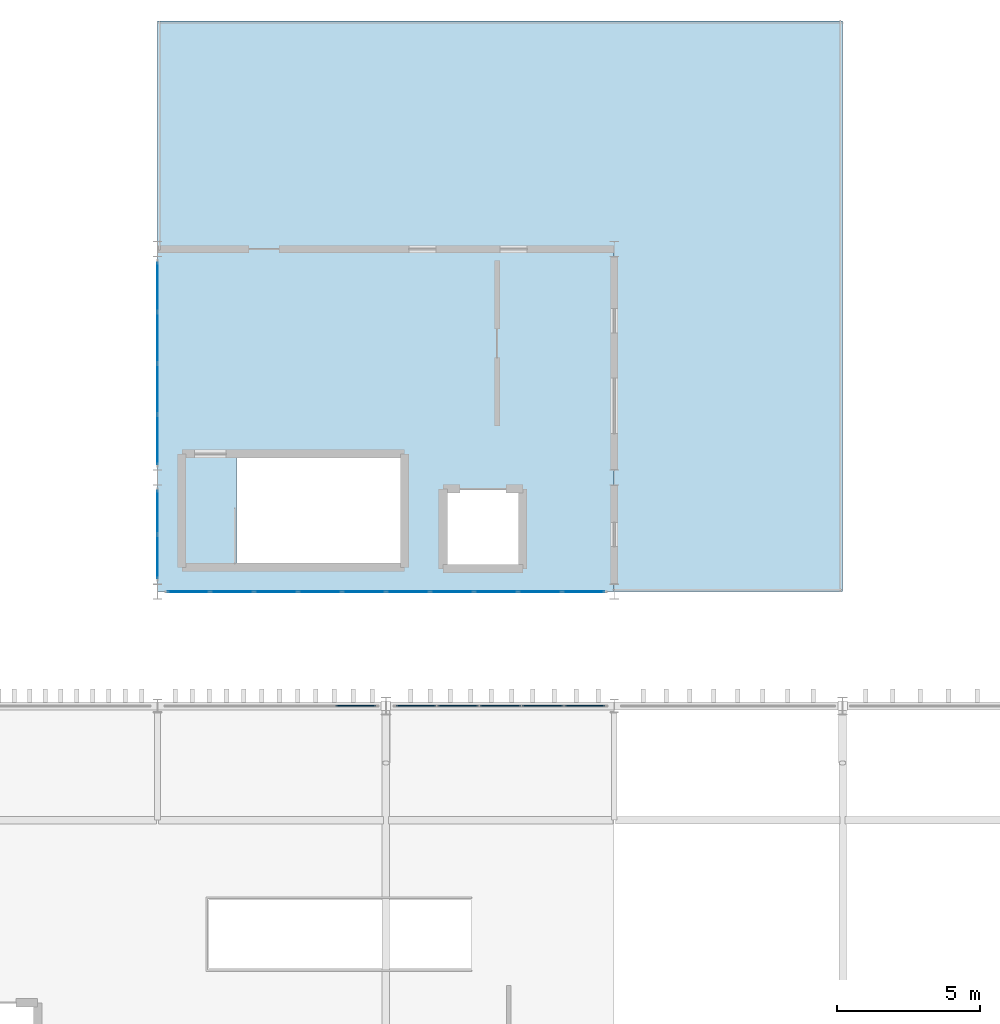
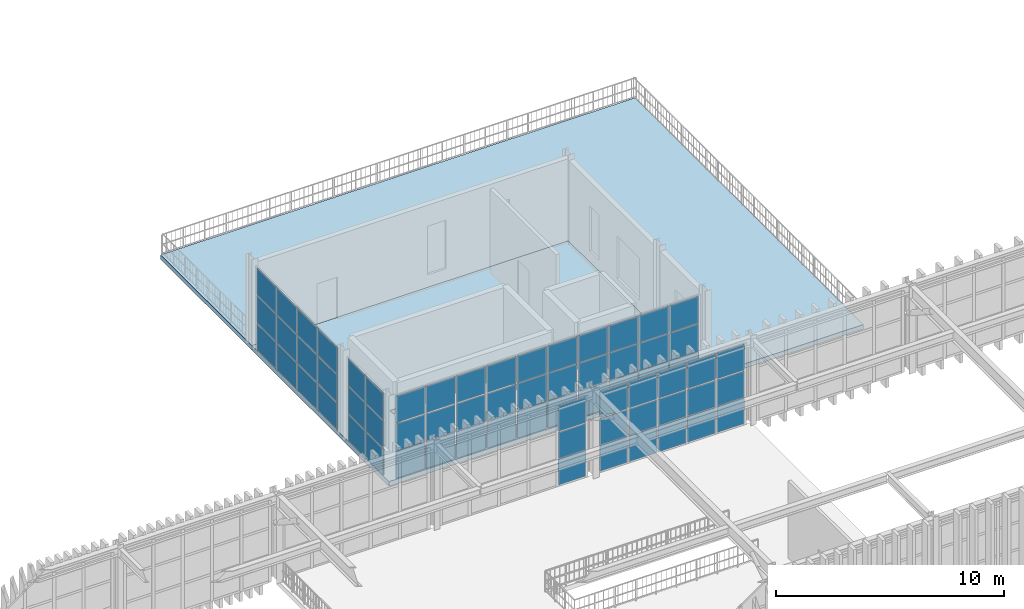
# One storey, part 41 of 61: 66 plates, 2 slabs, 5 elements without a shape of their own.
"""IFC4 building model written with IfcOpenShell, lengths in metres."""

from ifc_helpers import new_model, si_unit, direction, frame, origin, origin_2d, place, context, subcontext, project, spatial, polyline, rectangle, outline, extrude, material, layer, layer_set, type_object, element, aggregate, save


model = new_model("IFC4")

# Units and contexts
model_context = context("Model", 3, precision=1e-05, world=origin(), true_north=direction((0.0, 1.0)))
body_context = subcontext(model_context, "Body", "Model", "MODEL_VIEW")
ifc_project = project(units=[si_unit("LENGTHUNIT", "METRE"), si_unit("AREAUNIT", "SQUARE_METRE"), si_unit("VOLUMEUNIT", "CUBIC_METRE"), si_unit("PLANEANGLEUNIT", "RADIAN"), si_unit("MASSUNIT", "GRAM", prefix="KILO")], contexts=[model_context])

# Site, building, storey
site_placement = place(None, origin())
site = spatial("IfcSite", under=ifc_project, at=site_placement, CompositionType="ELEMENT")
building_placement = place(site_placement, origin())
building = spatial("IfcBuilding", under=site, at=building_placement, Name="Serraluz Foothill Cableway Terminal", CompositionType="ELEMENT")
storey_placement = place(building_placement, frame((0.0, 0.0, 15.0)))
storey = spatial("IfcBuildingStorey", under=building, at=storey_placement, Name="L03", CompositionType="ELEMENT", Elevation=15.0)

# Curtain wall, plates
ifc_material_1 = material(Name="Architectural bronze alloy C28000", Category="aluminium")
curtain_wall_type_1 = type_object("IfcCurtainWallType", Name="TYP-CW-640X440", PredefinedType="NOTDEFINED", material=ifc_material_1)
curtain_wall_1_placement = place(storey_placement, origin())
curtain_wall_1 = element("IfcCurtainWall", 1, at=curtain_wall_1_placement, inside=storey, type_object=curtain_wall_type_1, Name="Ribbed Glazed Curtain Wall CW-V4S-L03-80", PredefinedType="NOTDEFINED")
ifc_material_2 = material(Name="Translucent ribbed laminated channel glass", Category="glass")
ifc_layer_1 = layer(ifc_material_2, 0.028076171875, Name="Translucent ribbed laminated channel glass", Category="glass")
ifc_layer_set_1 = layer_set([ifc_layer_1], Name="Translucent ribbed laminated channel glass")
plate_type_1 = type_object("IfcPlateType", Name="TYP-CW-PNL-28", PredefinedType="CURTAIN_PANEL", material=ifc_layer_set_1)
plate_1_placement = place(storey_placement, frame((94.918701171875, 76.0, 0.06005859375), z_axis=(0.0, 0.0, 1.0), x_axis=(-1.0, 0.0, 0.0)))
plate_1 = element("IfcPlate", 2, at=plate_1_placement, type_object=plate_type_1, Name="CW-12 panel 1.1", PredefinedType="CURTAIN_PANEL", context=body_context, shape_type="SweptSolid", body=[
    extrude(rectangle(XDim=1.45068359375, YDim=0.028076171875, at=origin_2d()), origin(), (0.0, 0.0, 1.0), 1.409912109375),
])
plate_2_placement = place(storey_placement, frame((94.918701171875, 76.0, 1.530029296875), z_axis=(0.0, 0.0, 1.0), x_axis=(-1.0, 0.0, 0.0)))
plate_2 = element("IfcPlate", 3, at=plate_2_placement, type_object=plate_type_1, Name="CW-12 panel 1.2", PredefinedType="CURTAIN_PANEL", context=body_context, shape_type="SweptSolid", body=[
    extrude(rectangle(XDim=1.45068359375, YDim=0.028076171875, at=origin_2d()), origin(), (0.0, 0.0, 1.0), 1.43994140625),
])
plate_3_placement = place(storey_placement, frame((94.918701171875, 76.0, 3.0302734375), z_axis=(0.0, 0.0, 1.0), x_axis=(-1.0, 0.0, 0.0)))
plate_3 = element("IfcPlate", 4, at=plate_3_placement, type_object=plate_type_1, Name="CW-12 panel 1.3", PredefinedType="CURTAIN_PANEL", context=body_context, shape_type="SweptSolid", body=[
    extrude(rectangle(XDim=1.45068359375, YDim=0.028076171875, at=origin_2d()), origin(), (0.0, 0.0, 1.0), 1.409912109375),
])
plate_4_placement = place(storey_placement, frame((93.392822265625, 76.0, 0.06005859375), z_axis=(0.0, 0.0, 1.0), x_axis=(-1.0, 0.0, 0.0)))
plate_4 = element("IfcPlate", 5, at=plate_4_placement, type_object=plate_type_1, Name="CW-12 panel 2.1", PredefinedType="CURTAIN_PANEL", context=body_context, shape_type="SweptSolid", body=[
    extrude(rectangle(XDim=1.480712890625, YDim=0.028076171875, at=origin_2d()), origin(), (0.0, 0.0, 1.0), 1.409912109375),
])
plate_5_placement = place(storey_placement, frame((93.392822265625, 76.0, 1.530029296875), z_axis=(0.0, 0.0, 1.0), x_axis=(-1.0, 0.0, 0.0)))
plate_5 = element("IfcPlate", 6, at=plate_5_placement, type_object=plate_type_1, Name="CW-12 panel 2.2", PredefinedType="CURTAIN_PANEL", context=body_context, shape_type="SweptSolid", body=[
    extrude(rectangle(XDim=1.480712890625, YDim=0.028076171875, at=origin_2d()), origin(), (0.0, 0.0, 1.0), 1.43994140625),
])
plate_6_placement = place(storey_placement, frame((93.392822265625, 76.0, 3.0302734375), z_axis=(0.0, 0.0, 1.0), x_axis=(-1.0, 0.0, 0.0)))
plate_6 = element("IfcPlate", 7, at=plate_6_placement, type_object=plate_type_1, Name="CW-12 panel 2.3", PredefinedType="CURTAIN_PANEL", context=body_context, shape_type="SweptSolid", body=[
    extrude(rectangle(XDim=1.480712890625, YDim=0.028076171875, at=origin_2d()), origin(), (0.0, 0.0, 1.0), 1.409912109375),
])
plate_7_placement = place(storey_placement, frame((91.85205078125, 76.0, 0.06005859375), z_axis=(0.0, 0.0, 1.0), x_axis=(-1.0, 0.0, 0.0)))
plate_7 = element("IfcPlate", 8, at=plate_7_placement, type_object=plate_type_1, Name="CW-12 panel 3.1", PredefinedType="CURTAIN_PANEL", context=body_context, shape_type="SweptSolid", body=[
    extrude(rectangle(XDim=1.480712890625, YDim=0.028076171875, at=origin_2d()), origin(), (0.0, 0.0, 1.0), 1.409912109375),
])
plate_8_placement = place(storey_placement, frame((91.85205078125, 76.0, 1.530029296875), z_axis=(0.0, 0.0, 1.0), x_axis=(-1.0, 0.0, 0.0)))
plate_8 = element("IfcPlate", 9, at=plate_8_placement, type_object=plate_type_1, Name="CW-12 panel 3.2", PredefinedType="CURTAIN_PANEL", context=body_context, shape_type="SweptSolid", body=[
    extrude(rectangle(XDim=1.480712890625, YDim=0.028076171875, at=origin_2d()), origin(), (0.0, 0.0, 1.0), 1.43994140625),
])
plate_9_placement = place(storey_placement, frame((91.85205078125, 76.0, 3.0302734375), z_axis=(0.0, 0.0, 1.0), x_axis=(-1.0, 0.0, 0.0)))
plate_9 = element("IfcPlate", 10, at=plate_9_placement, type_object=plate_type_1, Name="CW-12 panel 3.3", PredefinedType="CURTAIN_PANEL", context=body_context, shape_type="SweptSolid", body=[
    extrude(rectangle(XDim=1.480712890625, YDim=0.028076171875, at=origin_2d()), origin(), (0.0, 0.0, 1.0), 1.409912109375),
])
plate_10_placement = place(storey_placement, frame((90.311279296875, 76.0, 0.06005859375), z_axis=(0.0, 0.0, 1.0), x_axis=(-1.0, 0.0, 0.0)))
plate_10 = element("IfcPlate", 11, at=plate_10_placement, type_object=plate_type_1, Name="CW-12 panel 4.1", PredefinedType="CURTAIN_PANEL", context=body_context, shape_type="SweptSolid", body=[
    extrude(rectangle(XDim=1.480712890625, YDim=0.028076171875, at=origin_2d()), origin(), (0.0, 0.0, 1.0), 1.409912109375),
])
plate_11_placement = place(storey_placement, frame((90.311279296875, 76.0, 1.530029296875), z_axis=(0.0, 0.0, 1.0), x_axis=(-1.0, 0.0, 0.0)))
plate_11 = element("IfcPlate", 12, at=plate_11_placement, type_object=plate_type_1, Name="CW-12 panel 4.2", PredefinedType="CURTAIN_PANEL", context=body_context, shape_type="SweptSolid", body=[
    extrude(rectangle(XDim=1.480712890625, YDim=0.028076171875, at=origin_2d()), origin(), (0.0, 0.0, 1.0), 1.43994140625),
])
plate_12_placement = place(storey_placement, frame((90.311279296875, 76.0, 3.0302734375), z_axis=(0.0, 0.0, 1.0), x_axis=(-1.0, 0.0, 0.0)))
plate_12 = element("IfcPlate", 13, at=plate_12_placement, type_object=plate_type_1, Name="CW-12 panel 4.3", PredefinedType="CURTAIN_PANEL", context=body_context, shape_type="SweptSolid", body=[
    extrude(rectangle(XDim=1.480712890625, YDim=0.028076171875, at=origin_2d()), origin(), (0.0, 0.0, 1.0), 1.409912109375),
])
plate_13_placement = place(storey_placement, frame((88.7705078125, 76.0, 0.06005859375), z_axis=(0.0, 0.0, 1.0), x_axis=(-1.0, 0.0, 0.0)))
plate_13 = element("IfcPlate", 14, at=plate_13_placement, type_object=plate_type_1, Name="CW-12 panel 5.1", PredefinedType="CURTAIN_PANEL", context=body_context, shape_type="SweptSolid", body=[
    extrude(rectangle(XDim=1.480712890625, YDim=0.028076171875, at=origin_2d()), origin(), (0.0, 0.0, 1.0), 1.409912109375),
])
plate_14_placement = place(storey_placement, frame((88.7705078125, 76.0, 1.530029296875), z_axis=(0.0, 0.0, 1.0), x_axis=(-1.0, 0.0, 0.0)))
plate_14 = element("IfcPlate", 15, at=plate_14_placement, type_object=plate_type_1, Name="CW-12 panel 5.2", PredefinedType="CURTAIN_PANEL", context=body_context, shape_type="SweptSolid", body=[
    extrude(rectangle(XDim=1.480712890625, YDim=0.028076171875, at=origin_2d()), origin(), (0.0, 0.0, 1.0), 1.43994140625),
])
plate_15_placement = place(storey_placement, frame((88.7705078125, 76.0, 3.0302734375), z_axis=(0.0, 0.0, 1.0), x_axis=(-1.0, 0.0, 0.0)))
plate_15 = element("IfcPlate", 16, at=plate_15_placement, type_object=plate_type_1, Name="CW-12 panel 5.3", PredefinedType="CURTAIN_PANEL", context=body_context, shape_type="SweptSolid", body=[
    extrude(rectangle(XDim=1.480712890625, YDim=0.028076171875, at=origin_2d()), origin(), (0.0, 0.0, 1.0), 1.409912109375),
])
plate_16_placement = place(storey_placement, frame((87.2294921875, 76.0, 0.06005859375), z_axis=(0.0, 0.0, 1.0), x_axis=(-1.0, 0.0, 0.0)))
plate_16 = element("IfcPlate", 17, at=plate_16_placement, type_object=plate_type_1, Name="CW-12 panel 6.1", PredefinedType="CURTAIN_PANEL", context=body_context, shape_type="SweptSolid", body=[
    extrude(rectangle(XDim=1.480712890625, YDim=0.028076171875, at=origin_2d()), origin(), (0.0, 0.0, 1.0), 1.409912109375),
])
plate_17_placement = place(storey_placement, frame((87.2294921875, 76.0, 1.530029296875), z_axis=(0.0, 0.0, 1.0), x_axis=(-1.0, 0.0, 0.0)))
plate_17 = element("IfcPlate", 18, at=plate_17_placement, type_object=plate_type_1, Name="CW-12 panel 6.2", PredefinedType="CURTAIN_PANEL", context=body_context, shape_type="SweptSolid", body=[
    extrude(rectangle(XDim=1.480712890625, YDim=0.028076171875, at=origin_2d()), origin(), (0.0, 0.0, 1.0), 1.43994140625),
])
plate_18_placement = place(storey_placement, frame((87.2294921875, 76.0, 3.0302734375), z_axis=(0.0, 0.0, 1.0), x_axis=(-1.0, 0.0, 0.0)))
plate_18 = element("IfcPlate", 19, at=plate_18_placement, type_object=plate_type_1, Name="CW-12 panel 6.3", PredefinedType="CURTAIN_PANEL", context=body_context, shape_type="SweptSolid", body=[
    extrude(rectangle(XDim=1.480712890625, YDim=0.028076171875, at=origin_2d()), origin(), (0.0, 0.0, 1.0), 1.409912109375),
])
plate_19_placement = place(storey_placement, frame((85.688720703125, 76.0, 0.06005859375), z_axis=(0.0, 0.0, 1.0), x_axis=(-1.0, 0.0, 0.0)))
plate_19 = element("IfcPlate", 20, at=plate_19_placement, type_object=plate_type_1, Name="CW-12 panel 7.1", PredefinedType="CURTAIN_PANEL", context=body_context, shape_type="SweptSolid", body=[
    extrude(rectangle(XDim=1.480712890625, YDim=0.028076171875, at=origin_2d()), origin(), (0.0, 0.0, 1.0), 1.409912109375),
])
plate_20_placement = place(storey_placement, frame((85.688720703125, 76.0, 1.530029296875), z_axis=(0.0, 0.0, 1.0), x_axis=(-1.0, 0.0, 0.0)))
plate_20 = element("IfcPlate", 21, at=plate_20_placement, type_object=plate_type_1, Name="CW-12 panel 7.2", PredefinedType="CURTAIN_PANEL", context=body_context, shape_type="SweptSolid", body=[
    extrude(rectangle(XDim=1.480712890625, YDim=0.028076171875, at=origin_2d()), origin(), (0.0, 0.0, 1.0), 1.43994140625),
])
plate_21_placement = place(storey_placement, frame((85.688720703125, 76.0, 3.0302734375), z_axis=(0.0, 0.0, 1.0), x_axis=(-1.0, 0.0, 0.0)))
plate_21 = element("IfcPlate", 22, at=plate_21_placement, type_object=plate_type_1, Name="CW-12 panel 7.3", PredefinedType="CURTAIN_PANEL", context=body_context, shape_type="SweptSolid", body=[
    extrude(rectangle(XDim=1.480712890625, YDim=0.028076171875, at=origin_2d()), origin(), (0.0, 0.0, 1.0), 1.409912109375),
])
plate_22_placement = place(storey_placement, frame((84.14794921875, 76.0, 0.06005859375), z_axis=(0.0, 0.0, 1.0), x_axis=(-1.0, 0.0, 0.0)))
plate_22 = element("IfcPlate", 23, at=plate_22_placement, type_object=plate_type_1, Name="CW-12 panel 8.1", PredefinedType="CURTAIN_PANEL", context=body_context, shape_type="SweptSolid", body=[
    extrude(rectangle(XDim=1.480712890625, YDim=0.028076171875, at=origin_2d()), origin(), (0.0, 0.0, 1.0), 1.409912109375),
])
plate_23_placement = place(storey_placement, frame((84.14794921875, 76.0, 1.530029296875), z_axis=(0.0, 0.0, 1.0), x_axis=(-1.0, 0.0, 0.0)))
plate_23 = element("IfcPlate", 24, at=plate_23_placement, type_object=plate_type_1, Name="CW-12 panel 8.2", PredefinedType="CURTAIN_PANEL", context=body_context, shape_type="SweptSolid", body=[
    extrude(rectangle(XDim=1.480712890625, YDim=0.028076171875, at=origin_2d()), origin(), (0.0, 0.0, 1.0), 1.43994140625),
])
plate_24_placement = place(storey_placement, frame((84.14794921875, 76.0, 3.0302734375), z_axis=(0.0, 0.0, 1.0), x_axis=(-1.0, 0.0, 0.0)))
plate_24 = element("IfcPlate", 25, at=plate_24_placement, type_object=plate_type_1, Name="CW-12 panel 8.3", PredefinedType="CURTAIN_PANEL", context=body_context, shape_type="SweptSolid", body=[
    extrude(rectangle(XDim=1.480712890625, YDim=0.028076171875, at=origin_2d()), origin(), (0.0, 0.0, 1.0), 1.409912109375),
])
plate_25_placement = place(storey_placement, frame((82.607177734375, 76.0, 0.06005859375), z_axis=(0.0, 0.0, 1.0), x_axis=(-1.0, 0.0, 0.0)))
plate_25 = element("IfcPlate", 26, at=plate_25_placement, type_object=plate_type_1, Name="CW-12 panel 9.1", PredefinedType="CURTAIN_PANEL", context=body_context, shape_type="SweptSolid", body=[
    extrude(rectangle(XDim=1.480712890625, YDim=0.028076171875, at=origin_2d()), origin(), (0.0, 0.0, 1.0), 1.409912109375),
])
plate_26_placement = place(storey_placement, frame((82.607177734375, 76.0, 1.530029296875), z_axis=(0.0, 0.0, 1.0), x_axis=(-1.0, 0.0, 0.0)))
plate_26 = element("IfcPlate", 27, at=plate_26_placement, type_object=plate_type_1, Name="CW-12 panel 9.2", PredefinedType="CURTAIN_PANEL", context=body_context, shape_type="SweptSolid", body=[
    extrude(rectangle(XDim=1.480712890625, YDim=0.028076171875, at=origin_2d()), origin(), (0.0, 0.0, 1.0), 1.43994140625),
])
plate_27_placement = place(storey_placement, frame((82.607177734375, 76.0, 3.0302734375), z_axis=(0.0, 0.0, 1.0), x_axis=(-1.0, 0.0, 0.0)))
plate_27 = element("IfcPlate", 28, at=plate_27_placement, type_object=plate_type_1, Name="CW-12 panel 9.3", PredefinedType="CURTAIN_PANEL", context=body_context, shape_type="SweptSolid", body=[
    extrude(rectangle(XDim=1.480712890625, YDim=0.028076171875, at=origin_2d()), origin(), (0.0, 0.0, 1.0), 1.409912109375),
])
plate_28_placement = place(storey_placement, frame((81.081298828125, 76.0, 0.06005859375), z_axis=(0.0, 0.0, 1.0), x_axis=(-1.0, 0.0, 0.0)))
plate_28 = element("IfcPlate", 29, at=plate_28_placement, type_object=plate_type_1, Name="CW-12 panel 10.1", PredefinedType="CURTAIN_PANEL", context=body_context, shape_type="SweptSolid", body=[
    extrude(rectangle(XDim=1.45068359375, YDim=0.028076171875, at=origin_2d()), origin(), (0.0, 0.0, 1.0), 1.409912109375),
])
plate_29_placement = place(storey_placement, frame((81.081298828125, 76.0, 1.530029296875), z_axis=(0.0, 0.0, 1.0), x_axis=(-1.0, 0.0, 0.0)))
plate_29 = element("IfcPlate", 30, at=plate_29_placement, type_object=plate_type_1, Name="CW-12 panel 10.2", PredefinedType="CURTAIN_PANEL", context=body_context, shape_type="SweptSolid", body=[
    extrude(rectangle(XDim=1.45068359375, YDim=0.028076171875, at=origin_2d()), origin(), (0.0, 0.0, 1.0), 1.43994140625),
])
plate_30_placement = place(storey_placement, frame((81.081298828125, 76.0, 3.0302734375), z_axis=(0.0, 0.0, 1.0), x_axis=(-1.0, 0.0, 0.0)))
plate_30 = element("IfcPlate", 31, at=plate_30_placement, type_object=plate_type_1, Name="CW-12 panel 10.3", PredefinedType="CURTAIN_PANEL", context=body_context, shape_type="SweptSolid", body=[
    extrude(rectangle(XDim=1.45068359375, YDim=0.028076171875, at=origin_2d()), origin(), (0.0, 0.0, 1.0), 1.409912109375),
])
aggregate(curtain_wall_1, [plate_1, plate_2, plate_3, plate_4, plate_5, plate_6, plate_7, plate_8, plate_9, plate_10, plate_11, plate_12, plate_13, plate_14, plate_15, plate_16, plate_17, plate_18, plate_19, plate_20, plate_21, plate_22, plate_23, plate_24, plate_25, plate_26, plate_27, plate_28, plate_29, plate_30])

curtain_wall_2_placement = place(storey_placement, origin())
curtain_wall_2 = element("IfcCurtainWall", 32, at=curtain_wall_2_placement, inside=storey, type_object=curtain_wall_type_1, Name="Ribbed Glazed Curtain Wall CW-V4W-L03-1", PredefinedType="NOTDEFINED")
plate_31_placement = place(storey_placement, frame((80.0, 77.220703125, 0.06005859375), z_axis=(0.0, 0.0, 1.0), x_axis=(0.0, 1.0, 0.0)))
plate_31 = element("IfcPlate", 33, at=plate_31_placement, type_object=plate_type_1, Name="CW-12 panel 1.1", PredefinedType="CURTAIN_PANEL", context=body_context, shape_type="SweptSolid", body=[
    extrude(rectangle(XDim=1.49853515625, YDim=0.028076171875, at=origin_2d()), origin(), (0.0, 0.0, 1.0), 1.409912109375),
])
plate_32_placement = place(storey_placement, frame((80.0, 77.220703125, 1.530029296875), z_axis=(0.0, 0.0, 1.0), x_axis=(0.0, 1.0, 0.0)))
plate_32 = element("IfcPlate", 34, at=plate_32_placement, type_object=plate_type_1, Name="CW-12 panel 1.2", PredefinedType="CURTAIN_PANEL", context=body_context, shape_type="SweptSolid", body=[
    extrude(rectangle(XDim=1.49853515625, YDim=0.028076171875, at=origin_2d()), origin(), (0.0, 0.0, 1.0), 1.43994140625),
])
plate_33_placement = place(storey_placement, frame((80.0, 77.220703125, 3.0302734375), z_axis=(0.0, 0.0, 1.0), x_axis=(0.0, 1.0, 0.0)))
plate_33 = element("IfcPlate", 35, at=plate_33_placement, type_object=plate_type_1, Name="CW-12 panel 1.3", PredefinedType="CURTAIN_PANEL", context=body_context, shape_type="SweptSolid", body=[
    extrude(rectangle(XDim=1.49853515625, YDim=0.028076171875, at=origin_2d()), origin(), (0.0, 0.0, 1.0), 1.409912109375),
])
plate_34_placement = place(storey_placement, frame((80.0, 78.779296875, 0.06005859375), z_axis=(0.0, 0.0, 1.0), x_axis=(0.0, 1.0, 0.0)))
plate_34 = element("IfcPlate", 36, at=plate_34_placement, type_object=plate_type_1, Name="CW-12 panel 2.1", PredefinedType="CURTAIN_PANEL", context=body_context, shape_type="SweptSolid", body=[
    extrude(rectangle(XDim=1.49853515625, YDim=0.028076171875, at=origin_2d()), origin(), (0.0, 0.0, 1.0), 1.409912109375),
])
plate_35_placement = place(storey_placement, frame((80.0, 78.779296875, 1.530029296875), z_axis=(0.0, 0.0, 1.0), x_axis=(0.0, 1.0, 0.0)))
plate_35 = element("IfcPlate", 37, at=plate_35_placement, type_object=plate_type_1, Name="CW-12 panel 2.2", PredefinedType="CURTAIN_PANEL", context=body_context, shape_type="SweptSolid", body=[
    extrude(rectangle(XDim=1.49853515625, YDim=0.028076171875, at=origin_2d()), origin(), (0.0, 0.0, 1.0), 1.43994140625),
])
plate_36_placement = place(storey_placement, frame((80.0, 78.779296875, 3.0302734375), z_axis=(0.0, 0.0, 1.0), x_axis=(0.0, 1.0, 0.0)))
plate_36 = element("IfcPlate", 38, at=plate_36_placement, type_object=plate_type_1, Name="CW-12 panel 2.3", PredefinedType="CURTAIN_PANEL", context=body_context, shape_type="SweptSolid", body=[
    extrude(rectangle(XDim=1.49853515625, YDim=0.028076171875, at=origin_2d()), origin(), (0.0, 0.0, 1.0), 1.409912109375),
])
aggregate(curtain_wall_2, [plate_31, plate_32, plate_33, plate_34, plate_35, plate_36])

curtain_wall_3_placement = place(storey_placement, origin())
curtain_wall_3 = element("IfcCurtainWall", 39, at=curtain_wall_3_placement, inside=storey, type_object=curtain_wall_type_1, Name="Ribbed Glazed Curtain Wall CW-V4W-L03-2", PredefinedType="NOTDEFINED")
plate_37_placement = place(storey_placement, frame((80.0, 81.32373046875, 0.06005859375), z_axis=(0.0, 0.0, 1.0), x_axis=(0.0, 1.0, 0.0)))
plate_37 = element("IfcPlate", 40, at=plate_37_placement, type_object=plate_type_1, Name="CW-12 panel 1.1", PredefinedType="CURTAIN_PANEL", context=body_context, shape_type="SweptSolid", body=[
    extrude(rectangle(XDim=1.704345703125, YDim=0.028076171875, at=origin_2d()), origin(), (0.0, 0.0, 1.0), 1.409912109375),
])
plate_38_placement = place(storey_placement, frame((80.0, 81.32373046875, 1.530029296875), z_axis=(0.0, 0.0, 1.0), x_axis=(0.0, 1.0, 0.0)))
plate_38 = element("IfcPlate", 41, at=plate_38_placement, type_object=plate_type_1, Name="CW-12 panel 1.2", PredefinedType="CURTAIN_PANEL", context=body_context, shape_type="SweptSolid", body=[
    extrude(rectangle(XDim=1.704345703125, YDim=0.028076171875, at=origin_2d()), origin(), (0.0, 0.0, 1.0), 1.43994140625),
])
plate_39_placement = place(storey_placement, frame((80.0, 81.32373046875, 3.0302734375), z_axis=(0.0, 0.0, 1.0), x_axis=(0.0, 1.0, 0.0)))
plate_39 = element("IfcPlate", 42, at=plate_39_placement, type_object=plate_type_1, Name="CW-12 panel 1.3", PredefinedType="CURTAIN_PANEL", context=body_context, shape_type="SweptSolid", body=[
    extrude(rectangle(XDim=1.704345703125, YDim=0.028076171875, at=origin_2d()), origin(), (0.0, 0.0, 1.0), 1.409912109375),
])
plate_40_placement = place(storey_placement, frame((80.0, 83.102783203125, 0.06005859375), z_axis=(0.0, 0.0, 1.0), x_axis=(0.0, 1.0, 0.0)))
plate_40 = element("IfcPlate", 43, at=plate_40_placement, type_object=plate_type_1, Name="CW-12 panel 2.1", PredefinedType="CURTAIN_PANEL", context=body_context, shape_type="SweptSolid", body=[
    extrude(rectangle(XDim=1.734130859375, YDim=0.028076171875, at=origin_2d()), origin(), (0.0, 0.0, 1.0), 1.409912109375),
])
plate_41_placement = place(storey_placement, frame((80.0, 83.102783203125, 1.530029296875), z_axis=(0.0, 0.0, 1.0), x_axis=(0.0, 1.0, 0.0)))
plate_41 = element("IfcPlate", 44, at=plate_41_placement, type_object=plate_type_1, Name="CW-12 panel 2.2", PredefinedType="CURTAIN_PANEL", context=body_context, shape_type="SweptSolid", body=[
    extrude(rectangle(XDim=1.734130859375, YDim=0.028076171875, at=origin_2d()), origin(), (0.0, 0.0, 1.0), 1.43994140625),
])
plate_42_placement = place(storey_placement, frame((80.0, 83.102783203125, 3.0302734375), z_axis=(0.0, 0.0, 1.0), x_axis=(0.0, 1.0, 0.0)))
plate_42 = element("IfcPlate", 45, at=plate_42_placement, type_object=plate_type_1, Name="CW-12 panel 2.3", PredefinedType="CURTAIN_PANEL", context=body_context, shape_type="SweptSolid", body=[
    extrude(rectangle(XDim=1.734130859375, YDim=0.028076171875, at=origin_2d()), origin(), (0.0, 0.0, 1.0), 1.409912109375),
])
plate_43_placement = place(storey_placement, frame((80.0, 84.897216796875, 0.06005859375), z_axis=(0.0, 0.0, 1.0), x_axis=(0.0, 1.0, 0.0)))
plate_43 = element("IfcPlate", 46, at=plate_43_placement, type_object=plate_type_1, Name="CW-12 panel 3.1", PredefinedType="CURTAIN_PANEL", context=body_context, shape_type="SweptSolid", body=[
    extrude(rectangle(XDim=1.734130859375, YDim=0.028076171875, at=origin_2d()), origin(), (0.0, 0.0, 1.0), 1.409912109375),
])
plate_44_placement = place(storey_placement, frame((80.0, 84.897216796875, 1.530029296875), z_axis=(0.0, 0.0, 1.0), x_axis=(0.0, 1.0, 0.0)))
plate_44 = element("IfcPlate", 47, at=plate_44_placement, type_object=plate_type_1, Name="CW-12 panel 3.2", PredefinedType="CURTAIN_PANEL", context=body_context, shape_type="SweptSolid", body=[
    extrude(rectangle(XDim=1.734130859375, YDim=0.028076171875, at=origin_2d()), origin(), (0.0, 0.0, 1.0), 1.43994140625),
])
plate_45_placement = place(storey_placement, frame((80.0, 84.897216796875, 3.0302734375), z_axis=(0.0, 0.0, 1.0), x_axis=(0.0, 1.0, 0.0)))
plate_45 = element("IfcPlate", 48, at=plate_45_placement, type_object=plate_type_1, Name="CW-12 panel 3.3", PredefinedType="CURTAIN_PANEL", context=body_context, shape_type="SweptSolid", body=[
    extrude(rectangle(XDim=1.734130859375, YDim=0.028076171875, at=origin_2d()), origin(), (0.0, 0.0, 1.0), 1.409912109375),
])
plate_46_placement = place(storey_placement, frame((80.0, 86.67626953125, 0.06005859375), z_axis=(0.0, 0.0, 1.0), x_axis=(0.0, 1.0, 0.0)))
plate_46 = element("IfcPlate", 49, at=plate_46_placement, type_object=plate_type_1, Name="CW-12 panel 4.1", PredefinedType="CURTAIN_PANEL", context=body_context, shape_type="SweptSolid", body=[
    extrude(rectangle(XDim=1.704345703125, YDim=0.028076171875, at=origin_2d()), origin(), (0.0, 0.0, 1.0), 1.409912109375),
])
plate_47_placement = place(storey_placement, frame((80.0, 86.67626953125, 1.530029296875), z_axis=(0.0, 0.0, 1.0), x_axis=(0.0, 1.0, 0.0)))
plate_47 = element("IfcPlate", 50, at=plate_47_placement, type_object=plate_type_1, Name="CW-12 panel 4.2", PredefinedType="CURTAIN_PANEL", context=body_context, shape_type="SweptSolid", body=[
    extrude(rectangle(XDim=1.704345703125, YDim=0.028076171875, at=origin_2d()), origin(), (0.0, 0.0, 1.0), 1.43994140625),
])
plate_48_placement = place(storey_placement, frame((80.0, 86.67626953125, 3.0302734375), z_axis=(0.0, 0.0, 1.0), x_axis=(0.0, 1.0, 0.0)))
plate_48 = element("IfcPlate", 51, at=plate_48_placement, type_object=plate_type_1, Name="CW-12 panel 4.3", PredefinedType="CURTAIN_PANEL", context=body_context, shape_type="SweptSolid", body=[
    extrude(rectangle(XDim=1.704345703125, YDim=0.028076171875, at=origin_2d()), origin(), (0.0, 0.0, 1.0), 1.409912109375),
])
aggregate(curtain_wall_3, [plate_37, plate_38, plate_39, plate_40, plate_41, plate_42, plate_43, plate_44, plate_45, plate_46, plate_47, plate_48])

curtain_wall_type_2 = type_object("IfcCurtainWallType", Name="TYP-CW-380X420", PredefinedType="NOTDEFINED", material=ifc_material_1)
curtain_wall_4_placement = place(storey_placement, origin())
curtain_wall_4 = element("IfcCurtainWall", 52, at=curtain_wall_4_placement, inside=storey, type_object=curtain_wall_type_2, Name="Ribbed Glazed Curtain Wall CW-V1N-L03-80", PredefinedType="NOTDEFINED")
ifc_layer_2 = layer(ifc_material_2, 0.0419921875, Name="Translucent ribbed laminated channel glass", Category="glass")
ifc_layer_set_2 = layer_set([ifc_layer_2], Name="Translucent ribbed laminated channel glass")
plate_type_2 = type_object("IfcPlateType", Name="TYP-CW-PNL-42", PredefinedType="CURTAIN_PANEL", material=ifc_layer_set_2)
plate_49_placement = place(storey_placement, frame((86.94091796875, 72.0, 0.06005859375), z_axis=(0.0, 0.0, 1.0), x_axis=(1.0, 0.0, 0.0)))
plate_49 = element("IfcPlate", 53, at=plate_49_placement, type_object=plate_type_2, Name="CW-17 panel 5.1", PredefinedType="CURTAIN_PANEL", context=body_context, shape_type="SweptSolid", body=[
    extrude(rectangle(XDim=1.393310546875, YDim=0.0419921875, at=origin_2d()), origin(), (0.0, 0.0, 1.0), 1.360107421875),
])
plate_50_placement = place(storey_placement, frame((86.94091796875, 72.0, 1.47998046875), z_axis=(0.0, 0.0, 1.0), x_axis=(1.0, 0.0, 0.0)))
plate_50 = element("IfcPlate", 54, at=plate_50_placement, type_object=plate_type_2, Name="CW-17 panel 5.2", PredefinedType="CURTAIN_PANEL", context=body_context, shape_type="SweptSolid", body=[
    extrude(rectangle(XDim=1.393310546875, YDim=0.0419921875, at=origin_2d()), origin(), (0.0, 0.0, 1.0), 1.389892578125),
])
plate_51_placement = place(storey_placement, frame((86.94091796875, 72.0, 2.93017578125), z_axis=(0.0, 0.0, 1.0), x_axis=(1.0, 0.0, 0.0)))
plate_51 = element("IfcPlate", 55, at=plate_51_placement, type_object=plate_type_2, Name="CW-17 panel 5.3", PredefinedType="CURTAIN_PANEL", context=body_context, shape_type="SweptSolid", body=[
    extrude(rectangle(XDim=1.393310546875, YDim=0.0419921875, at=origin_2d()), origin(), (0.0, 0.0, 1.0), 1.360107421875),
])
aggregate(curtain_wall_4, [plate_49, plate_50, plate_51])

curtain_wall_type_3 = type_object("IfcCurtainWallType", Name="TYP-CW-360X380", PredefinedType="NOTDEFINED", material=ifc_material_1)
curtain_wall_5_placement = place(storey_placement, origin())
curtain_wall_5 = element("IfcCurtainWall", 56, at=curtain_wall_5_placement, inside=storey, type_object=curtain_wall_type_3, Name="Ribbed Glazed Curtain Wall CW-V1N-L03-88", PredefinedType="NOTDEFINED")
plate_52_placement = place(storey_placement, frame((89.05908203125, 72.0, 0.06005859375), z_axis=(0.0, 0.0, 1.0), x_axis=(1.0, 0.0, 0.0)))
plate_52 = element("IfcPlate", 57, at=plate_52_placement, type_object=plate_type_2, Name="CW-18 panel 1.1", PredefinedType="CURTAIN_PANEL", context=body_context, shape_type="SweptSolid", body=[
    extrude(rectangle(XDim=1.393310546875, YDim=0.0419921875, at=origin_2d()), origin(), (0.0, 0.0, 1.0), 1.360107421875),
])
plate_53_placement = place(storey_placement, frame((89.05908203125, 72.0, 1.47998046875), z_axis=(0.0, 0.0, 1.0), x_axis=(1.0, 0.0, 0.0)))
plate_53 = element("IfcPlate", 58, at=plate_53_placement, type_object=plate_type_2, Name="CW-18 panel 1.2", PredefinedType="CURTAIN_PANEL", context=body_context, shape_type="SweptSolid", body=[
    extrude(rectangle(XDim=1.393310546875, YDim=0.0419921875, at=origin_2d()), origin(), (0.0, 0.0, 1.0), 1.389892578125),
])
plate_54_placement = place(storey_placement, frame((89.05908203125, 72.0, 2.93017578125), z_axis=(0.0, 0.0, 1.0), x_axis=(1.0, 0.0, 0.0)))
plate_54 = element("IfcPlate", 59, at=plate_54_placement, type_object=plate_type_2, Name="CW-18 panel 1.3", PredefinedType="CURTAIN_PANEL", context=body_context, shape_type="SweptSolid", body=[
    extrude(rectangle(XDim=1.393310546875, YDim=0.0419921875, at=origin_2d()), origin(), (0.0, 0.0, 1.0), 1.360107421875),
])
plate_55_placement = place(storey_placement, frame((90.52734375, 72.0, 0.06005859375), z_axis=(0.0, 0.0, 1.0), x_axis=(1.0, 0.0, 0.0)))
plate_55 = element("IfcPlate", 60, at=plate_55_placement, type_object=plate_type_2, Name="CW-18 panel 2.1", PredefinedType="CURTAIN_PANEL", context=body_context, shape_type="SweptSolid", body=[
    extrude(rectangle(XDim=1.423095703125, YDim=0.0419921875, at=origin_2d()), origin(), (0.0, 0.0, 1.0), 1.360107421875),
])
plate_56_placement = place(storey_placement, frame((90.52734375, 72.0, 1.47998046875), z_axis=(0.0, 0.0, 1.0), x_axis=(1.0, 0.0, 0.0)))
plate_56 = element("IfcPlate", 61, at=plate_56_placement, type_object=plate_type_2, Name="CW-18 panel 2.2", PredefinedType="CURTAIN_PANEL", context=body_context, shape_type="SweptSolid", body=[
    extrude(rectangle(XDim=1.423095703125, YDim=0.0419921875, at=origin_2d()), origin(), (0.0, 0.0, 1.0), 1.389892578125),
])
plate_57_placement = place(storey_placement, frame((90.52734375, 72.0, 2.93017578125), z_axis=(0.0, 0.0, 1.0), x_axis=(1.0, 0.0, 0.0)))
plate_57 = element("IfcPlate", 62, at=plate_57_placement, type_object=plate_type_2, Name="CW-18 panel 2.3", PredefinedType="CURTAIN_PANEL", context=body_context, shape_type="SweptSolid", body=[
    extrude(rectangle(XDim=1.423095703125, YDim=0.0419921875, at=origin_2d()), origin(), (0.0, 0.0, 1.0), 1.360107421875),
])
plate_58_placement = place(storey_placement, frame((92.010498046875, 72.0, 0.06005859375), z_axis=(0.0, 0.0, 1.0), x_axis=(1.0, 0.0, 0.0)))
plate_58 = element("IfcPlate", 63, at=plate_58_placement, type_object=plate_type_2, Name="CW-18 panel 3.1", PredefinedType="CURTAIN_PANEL", context=body_context, shape_type="SweptSolid", body=[
    extrude(rectangle(XDim=1.423095703125, YDim=0.0419921875, at=origin_2d()), origin(), (0.0, 0.0, 1.0), 1.360107421875),
])
plate_59_placement = place(storey_placement, frame((92.010498046875, 72.0, 1.47998046875), z_axis=(0.0, 0.0, 1.0), x_axis=(1.0, 0.0, 0.0)))
plate_59 = element("IfcPlate", 64, at=plate_59_placement, type_object=plate_type_2, Name="CW-18 panel 3.2", PredefinedType="CURTAIN_PANEL", context=body_context, shape_type="SweptSolid", body=[
    extrude(rectangle(XDim=1.423095703125, YDim=0.0419921875, at=origin_2d()), origin(), (0.0, 0.0, 1.0), 1.389892578125),
])
plate_60_placement = place(storey_placement, frame((92.010498046875, 72.0, 2.93017578125), z_axis=(0.0, 0.0, 1.0), x_axis=(1.0, 0.0, 0.0)))
plate_60 = element("IfcPlate", 65, at=plate_60_placement, type_object=plate_type_2, Name="CW-18 panel 3.3", PredefinedType="CURTAIN_PANEL", context=body_context, shape_type="SweptSolid", body=[
    extrude(rectangle(XDim=1.423095703125, YDim=0.0419921875, at=origin_2d()), origin(), (0.0, 0.0, 1.0), 1.360107421875),
])
plate_61_placement = place(storey_placement, frame((93.49365234375, 72.0, 0.06005859375), z_axis=(0.0, 0.0, 1.0), x_axis=(1.0, 0.0, 0.0)))
plate_61 = element("IfcPlate", 66, at=plate_61_placement, type_object=plate_type_2, Name="CW-18 panel 4.1", PredefinedType="CURTAIN_PANEL", context=body_context, shape_type="SweptSolid", body=[
    extrude(rectangle(XDim=1.423095703125, YDim=0.0419921875, at=origin_2d()), origin(), (0.0, 0.0, 1.0), 1.360107421875),
])
plate_62_placement = place(storey_placement, frame((93.49365234375, 72.0, 1.47998046875), z_axis=(0.0, 0.0, 1.0), x_axis=(1.0, 0.0, 0.0)))
plate_62 = element("IfcPlate", 67, at=plate_62_placement, type_object=plate_type_2, Name="CW-18 panel 4.2", PredefinedType="CURTAIN_PANEL", context=body_context, shape_type="SweptSolid", body=[
    extrude(rectangle(XDim=1.423095703125, YDim=0.0419921875, at=origin_2d()), origin(), (0.0, 0.0, 1.0), 1.389892578125),
])
plate_63_placement = place(storey_placement, frame((93.49365234375, 72.0, 2.93017578125), z_axis=(0.0, 0.0, 1.0), x_axis=(1.0, 0.0, 0.0)))
plate_63 = element("IfcPlate", 68, at=plate_63_placement, type_object=plate_type_2, Name="CW-18 panel 4.3", PredefinedType="CURTAIN_PANEL", context=body_context, shape_type="SweptSolid", body=[
    extrude(rectangle(XDim=1.423095703125, YDim=0.0419921875, at=origin_2d()), origin(), (0.0, 0.0, 1.0), 1.360107421875),
])
plate_64_placement = place(storey_placement, frame((94.9619140625, 72.0, 0.06005859375), z_axis=(0.0, 0.0, 1.0), x_axis=(1.0, 0.0, 0.0)))
plate_64 = element("IfcPlate", 69, at=plate_64_placement, type_object=plate_type_2, Name="CW-18 panel 5.1", PredefinedType="CURTAIN_PANEL", context=body_context, shape_type="SweptSolid", body=[
    extrude(rectangle(XDim=1.393310546875, YDim=0.0419921875, at=origin_2d()), origin(), (0.0, 0.0, 1.0), 1.360107421875),
])
plate_65_placement = place(storey_placement, frame((94.9619140625, 72.0, 1.47998046875), z_axis=(0.0, 0.0, 1.0), x_axis=(1.0, 0.0, 0.0)))
plate_65 = element("IfcPlate", 70, at=plate_65_placement, type_object=plate_type_2, Name="CW-18 panel 5.2", PredefinedType="CURTAIN_PANEL", context=body_context, shape_type="SweptSolid", body=[
    extrude(rectangle(XDim=1.393310546875, YDim=0.0419921875, at=origin_2d()), origin(), (0.0, 0.0, 1.0), 1.389892578125),
])
plate_66_placement = place(storey_placement, frame((94.9619140625, 72.0, 2.93017578125), z_axis=(0.0, 0.0, 1.0), x_axis=(1.0, 0.0, 0.0)))
plate_66 = element("IfcPlate", 71, at=plate_66_placement, type_object=plate_type_2, Name="CW-18 panel 5.3", PredefinedType="CURTAIN_PANEL", context=body_context, shape_type="SweptSolid", body=[
    extrude(rectangle(XDim=1.393310546875, YDim=0.0419921875, at=origin_2d()), origin(), (0.0, 0.0, 1.0), 1.360107421875),
])
aggregate(curtain_wall_5, [plate_52, plate_53, plate_54, plate_55, plate_56, plate_57, plate_58, plate_59, plate_60, plate_61, plate_62, plate_63, plate_64, plate_65, plate_66])

# Slabs
ifc_material_3 = material(Name="Concrete C28/35 (f'c 28 MPa)", Category="concrete")
ifc_layer_3 = layer(ifc_material_3, 0.25, Name="Concrete C28/35 (f'c 28 MPa)", Category="concrete")
ifc_layer_set_3 = layer_set([ifc_layer_3], Name="Concrete C28/35 (f'c 28 MPa)")
slab_type_1 = type_object("IfcSlabType", Name="TYP-SLB-FLR-250", PredefinedType="FLOOR", material=ifc_layer_set_3)
slab_1_placement = place(storey_placement, frame((0.0, 0.0, -0.25)))
element("IfcSlab", 72, at=slab_1_placement, inside=storey, type_object=slab_type_1, Name="Structural Slab SLB-L03-V4", PredefinedType="FLOOR", context=body_context, shape_type="SweptSolid", body=[
    extrude(outline(polyline([(80.0, 76.0), (96.0, 76.0), (96.0, 88.0), (80.0, 88.0), (80.0, 76.0)]), holes=[polyline([(82.760009765625, 77.0), (88.510009765625, 77.0), (88.510009765625, 80.679931640625), (82.760009765625, 80.679931640625), (82.760009765625, 77.0)]), polyline([(90.0, 76.800048828125), (92.800048828125, 76.800048828125), (92.800048828125, 79.60009765625), (90.0, 79.60009765625), (90.0, 76.800048828125)])]), origin(), (0.0, 0.0, 1.0), 0.25),
])
ifc_layer_4 = layer(ifc_material_3, 0.239990234375, Name="Concrete C28/35 (f'c 28 MPa)", Category="concrete")
ifc_layer_set_4 = layer_set([ifc_layer_4], Name="Concrete C28/35 (f'c 28 MPa)")
slab_type_2 = type_object("IfcSlabType", Name="TYP-SLB-ROOF-240", PredefinedType="ROOF", material=ifc_layer_set_4)
slab_2_placement = place(storey_placement, frame((0.0, 0.0, -0.239990234375)))
element("IfcSlab", 73, at=slab_2_placement, inside=storey, type_object=slab_type_2, Name="Exterior Terrace or Apron Slab TER-L03-V4", PredefinedType="ROOF", context=body_context, shape_type="SweptSolid", body=[
    extrude(outline(polyline([(96.0, 76.0), (104.0, 76.0), (104.0, 96.0), (80.0, 96.0), (80.0, 88.0), (96.0, 88.0), (96.0, 76.0)])), origin(), (0.0, 0.0, 1.0), 0.239990234375),
])

save(model, "model.ifc")
